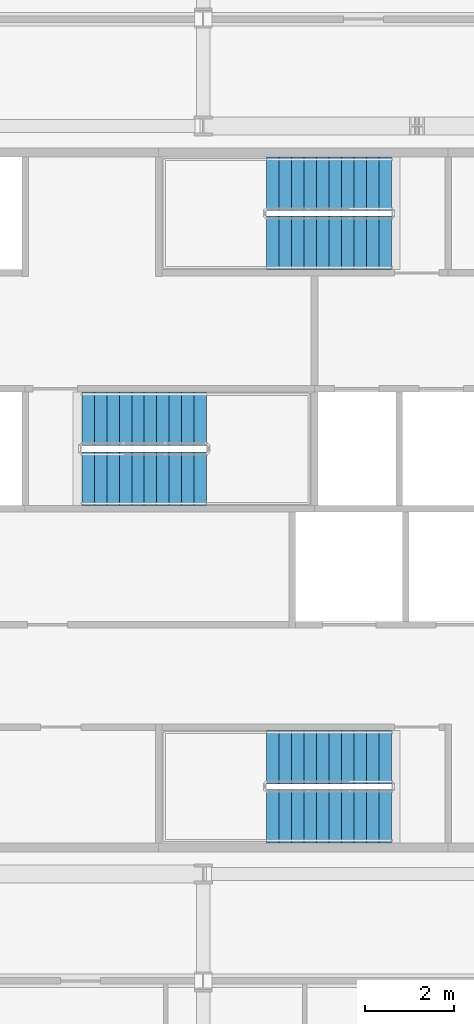
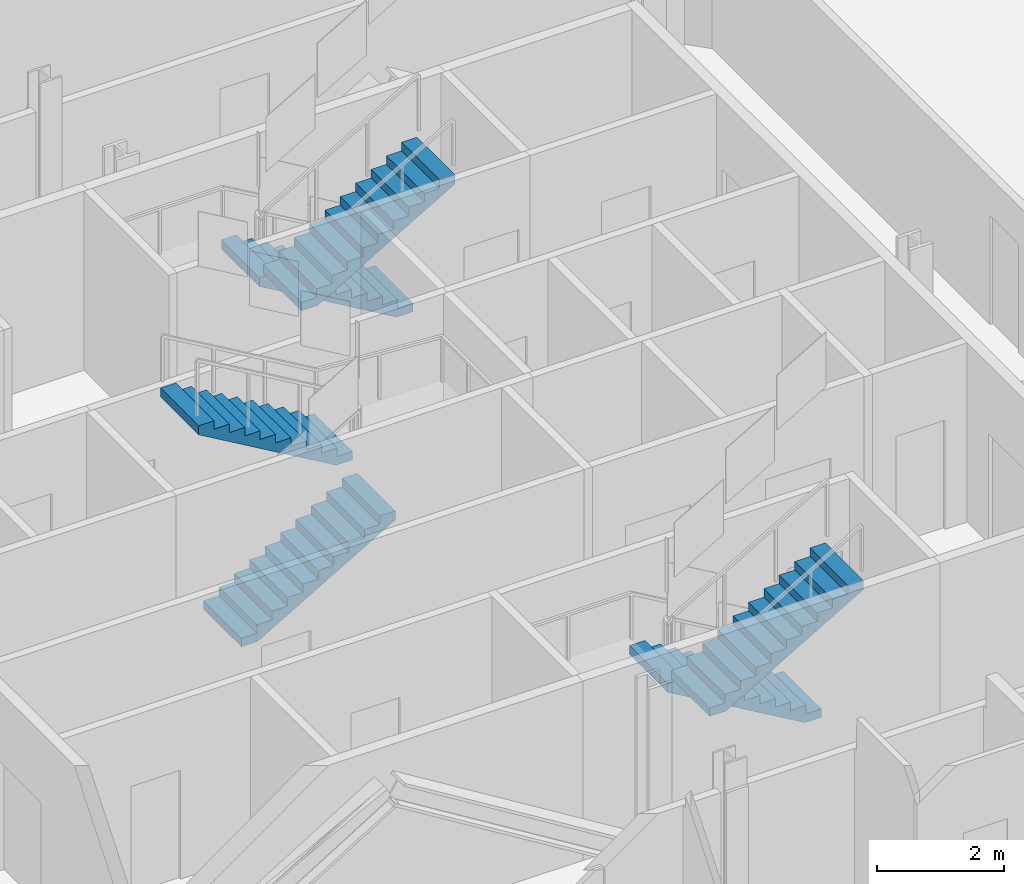
# One storey, part 14 of 21: 6 stair flights, 3 elements without a shape of their own.
"""IFC4 building model written with IfcOpenShell, lengths in metres."""

from ifc_helpers import new_model, si_unit, direction, frame, origin, place, context, subcontext, project, spatial, polyline, outline, extrude, material, type_object, element, aggregate, save


model = new_model("IFC4")

# Units and contexts
model_context = context("Model", 3, precision=1e-05, world=origin(), true_north=direction((0.0, 1.0)))
body_context = subcontext(model_context, "Body", "Model", "MODEL_VIEW")
ifc_project = project(units=[si_unit("LENGTHUNIT", "METRE"), si_unit("AREAUNIT", "SQUARE_METRE"), si_unit("VOLUMEUNIT", "CUBIC_METRE"), si_unit("PLANEANGLEUNIT", "RADIAN"), si_unit("MASSUNIT", "GRAM", prefix="KILO")], contexts=[model_context])

# Site, building, storey
site_placement = place(None, origin())
site = spatial("IfcSite", under=ifc_project, at=site_placement, CompositionType="ELEMENT")
building_placement = place(site_placement, origin())
building = spatial("IfcBuilding", under=site, at=building_placement, Name="Cairn Pilgrim Tower", CompositionType="ELEMENT")
storey_placement = place(building_placement, frame((0.0, 0.0, 157.800048828125)))
storey = spatial("IfcBuildingStorey", under=building, at=storey_placement, Name="L39", CompositionType="ELEMENT", Elevation=157.800048828125)

# Stair, stair flights
ifc_material = material(Name="Concrete C32/40", Category="concrete")
stair_type = type_object("IfcStairType", Name="EXIT STAIR 1200", PredefinedType="HALF_TURN_STAIR", material=ifc_material)
stair_1_placement = place(storey_placement, origin())
stair_1 = element("IfcStair", 1, at=stair_1_placement, inside=storey, type_object=stair_type, Name="L39 Exit Stair A", PredefinedType="HALF_TURN_STAIR")
stair_flight_type = type_object("IfcStairFlightType", Name="STAIR FLIGHT 1200", PredefinedType="STRAIGHT", material=ifc_material)
stair_flight_1_placement = place(storey_placement, frame((11.425048828125, -3.375, 0.0), z_axis=(0.0, 0.0, 1.0), x_axis=(-1.0, 0.0, 0.0)))
stair_flight_1 = element("IfcStairFlight", 2, at=stair_flight_1_placement, type_object=stair_flight_type, Name="ST-A flight 1", NumberOfRisers=11, NumberOfTreads=10, PredefinedType="STRAIGHT", RiserHeight=0.163636364, TreadLength=0.28, context=body_context, shape_type="SweptSolid", body=[
    extrude(outline(polyline([(0.0, 0.0), (0.0, 0.16357421875), (0.280029296875, 0.16357421875), (0.280029296875, 0.327392578125), (0.56005859375, 0.327392578125), (0.56005859375, 0.490966796875), (0.840087890625, 0.490966796875), (0.840087890625, 0.654541015625), (1.1201171875, 0.654541015625), (1.1201171875, 0.818115234375), (1.39990234375, 0.818115234375), (1.39990234375, 0.98193359375), (1.679931640625, 0.98193359375), (1.679931640625, 1.1455078125), (1.9599609375, 1.1455078125), (1.9599609375, 1.30908203125), (2.239990234375, 1.30908203125), (2.239990234375, 1.47265625), (2.52001953125, 1.47265625), (2.52001953125, 1.636474609375), (2.800048828125, 1.636474609375), (2.800048828125, 1.800048828125), (2.800048828125, 1.462646484375), (0.297119140625, 0.0), (0.0, 0.0)])), frame((0.0, 0.60009765625, 0.0), z_axis=(0.0, -1.0, 0.0), x_axis=(1.0, 0.0, 0.0)), (0.0, 0.0, 1.0), 1.199951171875),
])
stair_flight_2_placement = place(storey_placement, frame((8.625, -4.699951171875, 1.800048828125), z_axis=(0.0, 0.0, 1.0), x_axis=(1.0, 0.0, 0.0)))
stair_flight_2 = element("IfcStairFlight", 3, at=stair_flight_2_placement, type_object=stair_flight_type, Name="ST-A flight 2", NumberOfRisers=11, NumberOfTreads=10, PredefinedType="STRAIGHT", RiserHeight=0.163636364, TreadLength=0.28, context=body_context, shape_type="SweptSolid", body=[
    extrude(outline(polyline([(0.0, 0.0), (0.0, 0.16357421875), (0.280029296875, 0.16357421875), (0.280029296875, 0.327392578125), (0.56005859375, 0.327392578125), (0.56005859375, 0.490966796875), (0.840087890625, 0.490966796875), (0.840087890625, 0.654541015625), (1.1201171875, 0.654541015625), (1.1201171875, 0.818115234375), (1.39990234375, 0.818115234375), (1.39990234375, 0.98193359375), (1.679931640625, 0.98193359375), (1.679931640625, 1.1455078125), (1.9599609375, 1.1455078125), (1.9599609375, 1.30908203125), (2.239990234375, 1.30908203125), (2.239990234375, 1.47265625), (2.52001953125, 1.47265625), (2.52001953125, 1.636474609375), (2.800048828125, 1.636474609375), (2.800048828125, 1.800048828125), (2.800048828125, 1.462646484375), (0.297119140625, 0.0), (0.0, 0.0)])), frame((0.0, 0.60009765625, 0.0), z_axis=(0.0, -1.0, 0.0), x_axis=(1.0, 0.0, 0.0)), (0.0, 0.0, 1.0), 1.199951171875),
])
aggregate(stair_1, [stair_flight_1, stair_flight_2])

stair_2_placement = place(storey_placement, origin())
stair_2 = element("IfcStair", 4, at=stair_2_placement, inside=storey, type_object=stair_type, Name="L39 Exit Stair B", PredefinedType="HALF_TURN_STAIR")
stair_flight_3_placement = place(storey_placement, frame((4.47509765625, 2.875, 0.0), z_axis=(0.0, 0.0, 1.0), x_axis=(1.0, 0.0, 0.0)))
stair_flight_3 = element("IfcStairFlight", 5, at=stair_flight_3_placement, type_object=stair_flight_type, Name="ST-B flight 1", NumberOfRisers=11, NumberOfTreads=10, PredefinedType="STRAIGHT", RiserHeight=0.163636364, TreadLength=0.28, context=body_context, shape_type="SweptSolid", body=[
    extrude(outline(polyline([(0.0, 0.0), (0.0, 0.16357421875), (0.280029296875, 0.16357421875), (0.280029296875, 0.327392578125), (0.56005859375, 0.327392578125), (0.56005859375, 0.490966796875), (0.840087890625, 0.490966796875), (0.840087890625, 0.654541015625), (1.1201171875, 0.654541015625), (1.1201171875, 0.818115234375), (1.39990234375, 0.818115234375), (1.39990234375, 0.98193359375), (1.679931640625, 0.98193359375), (1.679931640625, 1.1455078125), (1.9599609375, 1.1455078125), (1.9599609375, 1.30908203125), (2.239990234375, 1.30908203125), (2.239990234375, 1.47265625), (2.52001953125, 1.47265625), (2.52001953125, 1.636474609375), (2.800048828125, 1.636474609375), (2.800048828125, 1.800048828125), (2.800048828125, 1.462646484375), (0.297119140625, 0.0), (0.0, 0.0)])), frame((0.0, 0.60009765625, 0.0), z_axis=(0.0, -1.0, 0.0), x_axis=(1.0, 0.0, 0.0)), (0.0, 0.0, 1.0), 1.199951171875),
])
stair_flight_4_placement = place(storey_placement, frame((7.27490234375, 4.22509765625, 1.800048828125), z_axis=(0.0, 0.0, 1.0), x_axis=(-1.0, 0.0, 0.0)))
stair_flight_4 = element("IfcStairFlight", 6, at=stair_flight_4_placement, type_object=stair_flight_type, Name="ST-B flight 2", NumberOfRisers=11, NumberOfTreads=10, PredefinedType="STRAIGHT", RiserHeight=0.163636364, TreadLength=0.28, context=body_context, shape_type="SweptSolid", body=[
    extrude(outline(polyline([(0.0, 0.0), (0.0, 0.16357421875), (0.280029296875, 0.16357421875), (0.280029296875, 0.327392578125), (0.56005859375, 0.327392578125), (0.56005859375, 0.490966796875), (0.840087890625, 0.490966796875), (0.840087890625, 0.654541015625), (1.1201171875, 0.654541015625), (1.1201171875, 0.818115234375), (1.39990234375, 0.818115234375), (1.39990234375, 0.98193359375), (1.679931640625, 0.98193359375), (1.679931640625, 1.1455078125), (1.9599609375, 1.1455078125), (1.9599609375, 1.30908203125), (2.239990234375, 1.30908203125), (2.239990234375, 1.47265625), (2.52001953125, 1.47265625), (2.52001953125, 1.636474609375), (2.800048828125, 1.636474609375), (2.800048828125, 1.800048828125), (2.800048828125, 1.462646484375), (0.297119140625, 0.0), (0.0, 0.0)])), frame((0.0, 0.60009765625, 0.0), z_axis=(0.0, -1.0, 0.0), x_axis=(1.0, 0.0, 0.0)), (0.0, 0.0, 1.0), 1.199951171875),
])
aggregate(stair_2, [stair_flight_3, stair_flight_4])

stair_3_placement = place(storey_placement, origin())
stair_3 = element("IfcStair", 7, at=stair_3_placement, inside=storey, type_object=stair_type, Name="L39 Exit Stair C", PredefinedType="HALF_TURN_STAIR")
stair_flight_5_placement = place(storey_placement, frame((11.425048828125, 9.5, 0.0), z_axis=(0.0, 0.0, 1.0), x_axis=(-1.0, 0.0, 0.0)))
stair_flight_5 = element("IfcStairFlight", 8, at=stair_flight_5_placement, type_object=stair_flight_type, Name="ST-C flight 1", NumberOfRisers=11, NumberOfTreads=10, PredefinedType="STRAIGHT", RiserHeight=0.163636364, TreadLength=0.28, context=body_context, shape_type="SweptSolid", body=[
    extrude(outline(polyline([(0.0, 0.0), (0.0, 0.16357421875), (0.280029296875, 0.16357421875), (0.280029296875, 0.327392578125), (0.56005859375, 0.327392578125), (0.56005859375, 0.490966796875), (0.840087890625, 0.490966796875), (0.840087890625, 0.654541015625), (1.1201171875, 0.654541015625), (1.1201171875, 0.818115234375), (1.39990234375, 0.818115234375), (1.39990234375, 0.98193359375), (1.679931640625, 0.98193359375), (1.679931640625, 1.1455078125), (1.9599609375, 1.1455078125), (1.9599609375, 1.30908203125), (2.239990234375, 1.30908203125), (2.239990234375, 1.47265625), (2.52001953125, 1.47265625), (2.52001953125, 1.636474609375), (2.800048828125, 1.636474609375), (2.800048828125, 1.800048828125), (2.800048828125, 1.462646484375), (0.297119140625, 0.0), (0.0, 0.0)])), frame((0.0, 0.60009765625, 0.0), z_axis=(0.0, -1.0, 0.0), x_axis=(1.0, 0.0, 0.0)), (0.0, 0.0, 1.0), 1.199951171875),
])
stair_flight_6_placement = place(storey_placement, frame((8.625, 8.175048828125, 1.800048828125), z_axis=(0.0, 0.0, 1.0), x_axis=(1.0, 0.0, 0.0)))
stair_flight_6 = element("IfcStairFlight", 9, at=stair_flight_6_placement, type_object=stair_flight_type, Name="ST-C flight 2", NumberOfRisers=11, NumberOfTreads=10, PredefinedType="STRAIGHT", RiserHeight=0.163636364, TreadLength=0.28, context=body_context, shape_type="SweptSolid", body=[
    extrude(outline(polyline([(0.0, 0.0), (0.0, 0.16357421875), (0.280029296875, 0.16357421875), (0.280029296875, 0.327392578125), (0.56005859375, 0.327392578125), (0.56005859375, 0.490966796875), (0.840087890625, 0.490966796875), (0.840087890625, 0.654541015625), (1.1201171875, 0.654541015625), (1.1201171875, 0.818115234375), (1.39990234375, 0.818115234375), (1.39990234375, 0.98193359375), (1.679931640625, 0.98193359375), (1.679931640625, 1.1455078125), (1.9599609375, 1.1455078125), (1.9599609375, 1.30908203125), (2.239990234375, 1.30908203125), (2.239990234375, 1.47265625), (2.52001953125, 1.47265625), (2.52001953125, 1.636474609375), (2.800048828125, 1.636474609375), (2.800048828125, 1.800048828125), (2.800048828125, 1.462646484375), (0.297119140625, 0.0), (0.0, 0.0)])), frame((0.0, 0.60009765625, 0.0), z_axis=(0.0, -1.0, 0.0), x_axis=(1.0, 0.0, 0.0)), (0.0, 0.0, 1.0), 1.199951171875),
])
aggregate(stair_3, [stair_flight_5, stair_flight_6])

save(model, "model.ifc")
